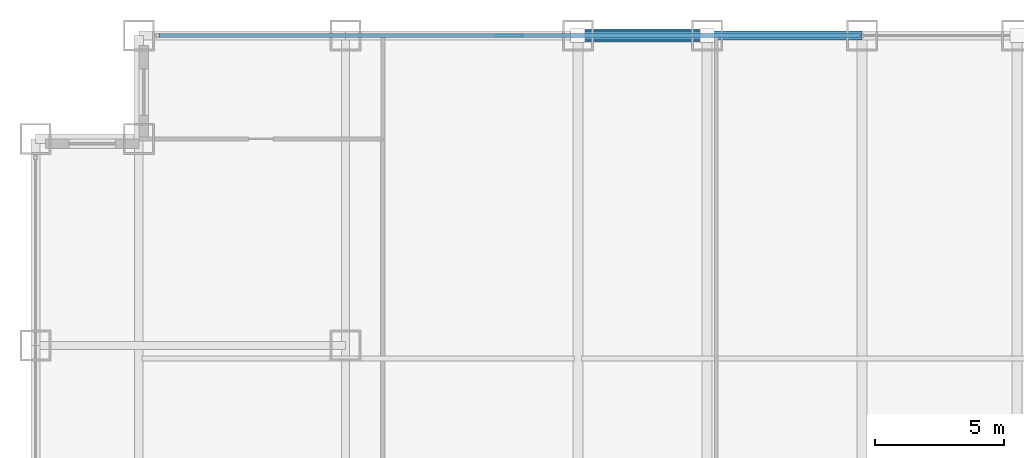
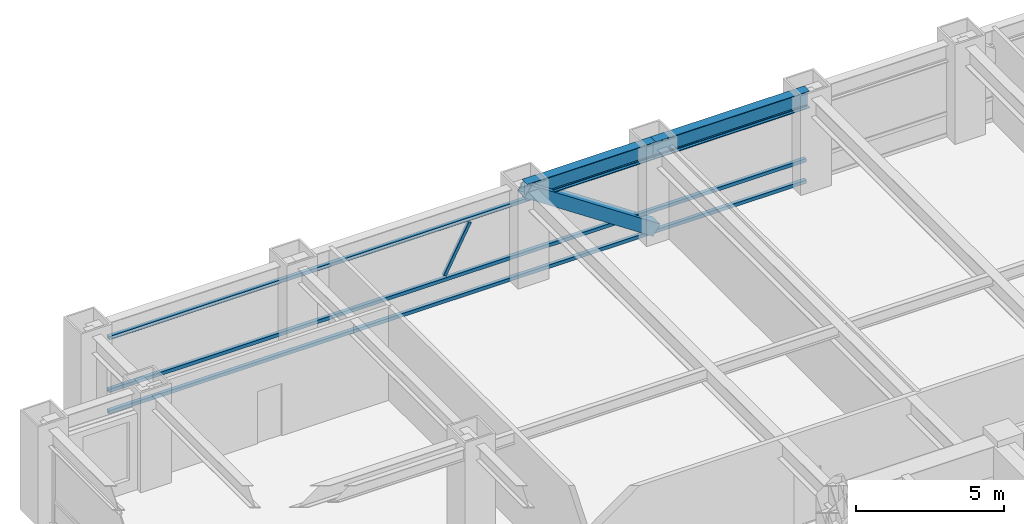
# One storey, part 18 of 28: 5 members, 2 beams, 1 element without a shape of its own.
"""IFC4 building model written with IfcOpenShell, lengths in metres."""

import ifcopenshell
import ifcopenshell.guid

model = None  # the IFC model being written
_history = None  # IfcOwnerHistory: only IFC2X3 demands one
_inside = {}  # id of a spatial element -> (the spatial element, [elements in it])
_under = {}  # id of a project, library or spatial element -> (it, [spatial elements below it])
_declared = {}  # id of a project -> (the project, [libraries it declares])
_typed = {}  # id of a type object -> (the type object, [elements of that type])
_made_of = {}  # id of a material, layer set ... -> (it, [elements and type objects made of it])


def new_model(schema):
    """Start an empty IFC model of exactly this schema.

    Asked for "IFC4X3", IfcOpenShell would pick the latest addendum, in which some entities
    have other attributes; the version numbers below select the first issue.
    IFC2X3 requires an IfcOwnerHistory on every rooted entity: one is made here for all.
    """
    global model, _history
    if schema == "IFC4X3":
        model = ifcopenshell.file(schema_version=(4, 3, 0, 0))
    else:
        model = ifcopenshell.file(schema=schema)
    _inside.clear()
    _under.clear()
    _declared.clear()
    _typed.clear()
    _made_of.clear()
    _history = None
    if model.schema == "IFC2X3":
        org = make("IfcOrganization", Name="unknown")
        user = make(
            "IfcPersonAndOrganization",
            ThePerson=make("IfcPerson", FamilyName="unknown"),
            TheOrganization=org,
        )
        app = make(
            "IfcApplication",
            ApplicationDeveloper=org,
            Version="unknown",
            ApplicationFullName="unknown",
            ApplicationIdentifier="unknown",
        )
        _history = make(
            "IfcOwnerHistory",
            OwningUser=user,
            OwningApplication=app,
            ChangeAction="ADDED",
            CreationDate=0,
        )
    return model


def make(cls, **values):
    """One entity of the class cls with the attributes given. An attribute that is None is left unset."""
    return model.create_entity(
        cls, **{name: value for name, value in values.items() if value is not None}
    )


def rooted(cls, **values):
    """An entity with a GlobalId (a new one), such as an element, a storey or a relation."""
    return make(cls, GlobalId=ifcopenshell.guid.new(), OwnerHistory=_history, **values)


def si_unit(unit_type, name, prefix=None):
    """IfcSIUnit, for example si_unit("LENGTHUNIT", "METRE", prefix="MILLI")."""
    return make("IfcSIUnit", UnitType=unit_type, Prefix=prefix, Name=name)


def assignment(units):
    """IfcUnitAssignment: the units of a project."""
    return None if units is None else make("IfcUnitAssignment", Units=units)


def point(xyz):
    """IfcCartesianPoint."""
    return None if xyz is None else make("IfcCartesianPoint", Coordinates=xyz)


def direction(xyz):
    """IfcDirection."""
    return None if xyz is None else make("IfcDirection", DirectionRatios=xyz)


def frame(location, z_axis=None, x_axis=None):
    """IfcAxis2Placement3D, a coordinate frame: its origin and axes. An axis left out is left unset."""
    return make(
        "IfcAxis2Placement3D",
        Location=point(location),
        Axis=direction(z_axis),
        RefDirection=direction(x_axis),
    )


def frame_2d(location, x_axis=None):
    """IfcAxis2Placement2D, a coordinate frame in the plane: its origin and x axis."""
    return make(
        "IfcAxis2Placement2D", Location=point(location), RefDirection=direction(x_axis)
    )


def origin():
    """The frame at (0, 0, 0) with its axes left unset."""
    return frame((0.0, 0.0, 0.0))


def origin_2d():
    """The frame at (0, 0) in the plane with its x axis left unset."""
    return frame_2d((0.0, 0.0))


def place(relative_to, where):
    """IfcLocalPlacement: puts the frame where relative to a parent placement (None: the world)."""
    return make(
        "IfcLocalPlacement", PlacementRelTo=relative_to, RelativePlacement=where
    )


def context(
    kind, dimensions, precision=None, world=None, true_north=None, identifier=None
):
    """IfcGeometricRepresentationContext, for example the 3D "Model" context."""
    return make(
        "IfcGeometricRepresentationContext",
        ContextIdentifier=identifier,
        ContextType=kind,
        CoordinateSpaceDimension=dimensions,
        Precision=precision,
        WorldCoordinateSystem=world,
        TrueNorth=true_north,
    )


def subcontext(parent, identifier, kind, view, scale=None):
    """IfcGeometricRepresentationSubContext, for example "Body" below "Model"."""
    return make(
        "IfcGeometricRepresentationSubContext",
        ContextIdentifier=identifier,
        ContextType=kind,
        ParentContext=parent,
        TargetScale=scale,
        TargetView=view,
    )


def project(units=None, contexts=None):
    """IfcProject with its units and contexts."""
    return rooted(
        "IfcProject",
        Name="project",
        RepresentationContexts=contexts,
        UnitsInContext=assignment(units),
    )


def spatial(cls, under=None, at=None, **own):
    """A site, building, storey or space (cls), placed at a placement, below another one or the project."""
    s = rooted(cls, ObjectPlacement=at, **own)
    if under is not None:
        _under.setdefault(under.id(), (under, []))[1].append(s)
    return s


def profile(cls, at=None, kind="AREA", **sizes):
    """A parametric profile (cls). Its sizes go by their IFC names, for example OverallWidth=200.0."""
    return make(cls, ProfileType=kind, Position=at, **sizes)


def hollow_rectangle(**sizes):
    """IfcRectangleHollowProfileDef."""
    return profile("IfcRectangleHollowProfileDef", **sizes)


def i_section(**sizes):
    """IfcIShapeProfileDef."""
    return profile("IfcIShapeProfileDef", **sizes)


def extrude(swept, where, along, depth):
    """IfcExtrudedAreaSolid: the profile swept, set in the frame where, extruded along a direction by depth."""
    return make(
        "IfcExtrudedAreaSolid",
        SweptArea=swept,
        Position=where,
        ExtrudedDirection=direction(along),
        Depth=depth,
    )


def shape(context_of_items, identifier, shape_type, items):
    """IfcShapeRepresentation: the items that make up one representation, for example the "Body"."""
    return make(
        "IfcShapeRepresentation",
        ContextOfItems=context_of_items,
        RepresentationIdentifier=identifier,
        RepresentationType=shape_type,
        Items=items,
    )


def source(mapping_origin, context_of_items, identifier, shape_type, items):
    """IfcRepresentationMap: a shape defined once, which mapped items show again and again."""
    return make(
        "IfcRepresentationMap",
        MappingOrigin=mapping_origin,
        MappedRepresentation=shape(context_of_items, identifier, shape_type, items),
    )


def transform(
    local_origin,
    x_axis=None,
    y_axis=None,
    z_axis=None,
    scale=None,
    scale2=None,
    scale3=None,
    uniform=True,
):
    """IfcCartesianTransformationOperator3D, or its non-uniform kind. x_axis, y_axis, z_axis: its Axis1, 2, 3."""
    if uniform:
        return make(
            "IfcCartesianTransformationOperator3D",
            Axis1=direction(x_axis),
            Axis2=direction(y_axis),
            LocalOrigin=point(local_origin),
            Scale=scale,
            Axis3=direction(z_axis),
        )
    return make(
        "IfcCartesianTransformationOperator3DnonUniform",
        Axis1=direction(x_axis),
        Axis2=direction(y_axis),
        LocalOrigin=point(local_origin),
        Scale=scale,
        Axis3=direction(z_axis),
        Scale2=scale2,
        Scale3=scale3,
    )


def mapped(mapping_source, mapping_target):
    """IfcMappedItem: shows the shape of a source again, moved by a transform."""
    return make(
        "IfcMappedItem", MappingSource=mapping_source, MappingTarget=mapping_target
    )


def material(Name=None, Category=None):
    """IfcMaterial."""
    return make("IfcMaterial", Name=Name, Category=Category)


def material_profile(
    of_material, cross_section, Name=None, Category=None, Priority=None
):
    """IfcMaterialProfile: a cross section and its material."""
    return make(
        "IfcMaterialProfile",
        Name=Name,
        Material=of_material,
        Profile=cross_section,
        Priority=Priority,
        Category=Category,
    )


def profile_set(profiles, Name=None, composite=None):
    """IfcMaterialProfileSet."""
    return make(
        "IfcMaterialProfileSet",
        Name=Name,
        MaterialProfiles=profiles,
        CompositeProfile=composite,
    )


def made_of(thing, what):
    """Note that an element or type object is made of a material, layer set ...; save() writes the relation."""
    if what is not None:
        _made_of.setdefault(what.id(), (what, []))[1].append(thing)
    return thing


def type_object(cls, material=None, **own):
    """A type object (cls), such as IfcWallType, which elements share."""
    return made_of(rooted(cls, **own), material)


def element(
    cls,
    number,
    at=None,
    inside=None,
    cuts=None,
    type_object=None,
    material=None,
    context=None,
    identifier="Body",
    shape_type=None,
    held_by="IfcProductDefinitionShape",
    body=None,
    shapes=None,
    **own,
):
    """One element of the class cls, such as IfcWall. Its Tag is "e" and its number.

    at: its placement. inside: the storey or other place that contains it. cuts: it is an
    opening in that element (IfcRelVoidsElement). A single representation is given by context,
    identifier, shape_type and body (its items); several are given by shapes. held_by: the class
    of the entity that holds the representations. save() writes the other relations.
    """
    e = rooted(cls, Tag="e%d" % number, ObjectPlacement=at, **own)
    if body is not None:
        shapes = [shape(context, identifier, shape_type, body)]
    if shapes is not None:
        e.Representation = make(held_by, Representations=shapes)
    if inside is not None:
        _inside.setdefault(inside.id(), (inside, []))[1].append(e)
    if cuts is not None:
        rooted(
            "IfcRelVoidsElement", RelatingBuildingElement=cuts, RelatedOpeningElement=e
        )
    if type_object is not None:
        _typed.setdefault(type_object.id(), (type_object, []))[1].append(e)
    return made_of(e, material)


def aggregate(whole, parts):
    """IfcRelAggregates: a whole, such as a stair, and the parts it consists of."""
    return rooted("IfcRelAggregates", RelatingObject=whole, RelatedObjects=parts)


def save(model, path):
    """Write the relations noted so far, then the file.

    IfcRelAggregates (storeys below a building ...), IfcRelContainedInSpatialStructure (elements
    in a storey), IfcRelDefinesByType, IfcRelAssociatesMaterial and IfcRelDeclares: one each for
    every whole, place, type object, material and project.
    """
    for whole, parts in _under.values():
        aggregate(whole, parts)
    for where, things in _inside.values():
        rooted(
            "IfcRelContainedInSpatialStructure",
            RelatedElements=things,
            RelatingStructure=where,
        )
    for kind, things in _typed.values():
        rooted("IfcRelDefinesByType", RelatedObjects=things, RelatingType=kind)
    for what, things in _made_of.values():
        rooted("IfcRelAssociatesMaterial", RelatedObjects=things, RelatingMaterial=what)
    for by, libraries in _declared.values():
        rooted("IfcRelDeclares", RelatingContext=by, RelatedDefinitions=libraries)
    model.write(path)


model = new_model("IFC4")

# Units and contexts
model_context = context("Model", 3, precision=1e-05, world=origin(), true_north=direction((0.0, 1.0)))
body_context = subcontext(model_context, "Body", "Model", "MODEL_VIEW")
ifc_project = project(units=[si_unit("LENGTHUNIT", "METRE"), si_unit("AREAUNIT", "SQUARE_METRE"), si_unit("VOLUMEUNIT", "CUBIC_METRE"), si_unit("PLANEANGLEUNIT", "RADIAN"), si_unit("MASSUNIT", "GRAM", prefix="KILO")], contexts=[model_context])

# Site, building, storey
site_placement = place(None, origin())
site = spatial("IfcSite", under=ifc_project, at=site_placement, CompositionType="ELEMENT")
building_placement = place(site_placement, origin())
building = spatial("IfcBuilding", under=site, at=building_placement, Name="Khorayat Bourse Tower", CompositionType="ELEMENT")
storey_placement = place(building_placement, frame((0.0, 0.0, 116.0)))
storey = spatial("IfcBuildingStorey", under=building, at=storey_placement, Name="L26", CompositionType="ELEMENT", Elevation=116.0)

# Beams
ifc_material_1 = material(Name="Steel ASTM A992 Grade 50", Category="steel")
ifc_material_profile_1 = material_profile(ifc_material_1, i_section(OverallWidth=0.35498046875, OverallDepth=0.695068359375, WebThickness=0.015380859375, FlangeThickness=0.02490234375, FilletRadius=0.01806640625, at=origin_2d()), Name="W690X217")
ifc_profile_set_1 = profile_set([ifc_material_profile_1], Name="Steel ASTM A992 Grade 50")
beam_type = type_object("IfcBeamType", Name="BM-SPAN-690", PredefinedType="SPANDREL", material=ifc_profile_set_1)
shared_shape_1 = source(origin(), body_context, "Body", "SweptSolid", [
    extrude(i_section(OverallWidth=0.35498046875, OverallDepth=0.695068359375, WebThickness=0.015380859375, FlangeThickness=0.02490234375, FilletRadius=0.01806640625, at=origin_2d()), origin(), (0.0, 0.0, 1.0), 5.0),
])
beam_1_placement = place(storey_placement, frame((-11.0, 32.0, 3.492431640625), z_axis=(1.0, 0.0, 0.0), x_axis=(0.0, 1.0, 0.0)))
element("IfcBeam", 1, at=beam_1_placement, inside=storey, type_object=beam_type, Name="L26 BM-SPAN-690 BM-L26-SPN-049", PredefinedType="SPANDREL", context=body_context, shape_type="MappedRepresentation", body=[
    mapped(shared_shape_1, transform((0.0, 0.0, 0.0), scale=1.0)),
])
shared_shape_2 = source(origin(), body_context, "Body", "SweptSolid", [
    extrude(i_section(OverallWidth=0.35498046875, OverallDepth=0.695068359375, WebThickness=0.015380859375, FlangeThickness=0.02490234375, FilletRadius=0.01806640625, at=origin_2d()), origin(), (0.0, 0.0, 1.0), 6.0),
])
beam_2_placement = place(storey_placement, frame((-6.0, 32.0, 3.492431640625), z_axis=(1.0, 0.0, 0.0), x_axis=(0.0, 1.0, 0.0)))
element("IfcBeam", 2, at=beam_2_placement, inside=storey, type_object=beam_type, Name="L26 BM-SPAN-690 BM-L26-SPN-048", PredefinedType="SPANDREL", context=body_context, shape_type="MappedRepresentation", body=[
    mapped(shared_shape_2, transform((0.0, 0.0, 0.0), scale=1.0)),
])

# Member
ifc_material_2 = material(Name="Steel EN 10025-4 S460M", Category="steel")
ifc_material_profile_2 = material_profile(ifc_material_2, hollow_rectangle(XDim=0.5, YDim=0.5, WallThickness=0.028076171875, at=origin_2d()), Name="HSS 500x500x28")
ifc_profile_set_2 = profile_set([ifc_material_profile_2], Name="Steel EN 10025-4 S460M")
member_type_1 = type_object("IfcMemberType", Name="MBR-TUBE-500", PredefinedType="BRACE", material=ifc_profile_set_2)
shared_shape_3 = source(origin(), body_context, "Body", "SweptSolid", [
    extrude(hollow_rectangle(XDim=0.5, YDim=0.5, WallThickness=0.028076171875, at=origin_2d()), origin(), (0.0, 0.0, 1.0), 6.012939453125),
])
member_1_placement = place(storey_placement, frame((-11.0, 32.0, 3.590087890625), z_axis=(0.831531473026, 0.0, -0.555477640745), x_axis=(0.0, 1.0, 0.0)))
element("IfcMember", 3, at=member_1_placement, inside=storey, type_object=member_type_1, Name="L26 Perimeter Tube Brace 03", PredefinedType="BRACE", context=body_context, shape_type="MappedRepresentation", body=[
    mapped(shared_shape_3, transform((0.0, 0.0, 0.0), scale=1.0)),
])

# Curtain wall, members
ifc_material_3 = material(Name="Aluminium EN AW-6063 T6", Category="aluminium")
curtain_wall_type = type_object("IfcCurtainWallType", Name="CW-SYS-02", PredefinedType="NOTDEFINED", material=ifc_material_3)
curtain_wall_placement = place(storey_placement, origin())
curtain_wall = element("IfcCurtainWall", 4, at=curtain_wall_placement, inside=storey, type_object=curtain_wall_type, Name="L26 Curtain Wall CW-L26-N1", PredefinedType="NOTDEFINED")
ifc_material_profile_3 = material_profile(ifc_material_3, hollow_rectangle(XDim=0.139892578125, YDim=0.139892578125, WallThickness=0.006103515625, at=origin_2d()), Name="ALU 140x140x6")
ifc_profile_set_3 = profile_set([ifc_material_profile_3], Name="Aluminium EN AW-6063 T6")
member_type_2 = type_object("IfcMemberType", Name="CWT-HORZ-140", PredefinedType="USERDEFINED", material=ifc_profile_set_3)
shared_shape_4 = source(origin(), body_context, "Body", "SweptSolid", [
    extrude(hollow_rectangle(XDim=0.139892578125, YDim=0.139892578125, WallThickness=0.006103515625, at=origin_2d()), origin(), (0.0, 0.0, 1.0), 27.139892578125),
])
member_2_placement = place(storey_placement, frame((-27.2099609375, 32.0, 0.070068359375), z_axis=(1.0, 0.0, 0.0), x_axis=(0.0, 1.0, 0.0)))
member_2 = element("IfcMember", 5, at=member_2_placement, type_object=member_type_2, Name="CW-L26-N1 Horizontal Transom 1-1", ObjectType="TRANSOM", PredefinedType="USERDEFINED", context=body_context, shape_type="MappedRepresentation", body=[
    mapped(shared_shape_4, transform((0.0, 0.0, 0.0), scale=1.0)),
])
member_3_placement = place(storey_placement, frame((-27.2099609375, 32.0, 0.949951171875), z_axis=(1.0, 0.0, 0.0), x_axis=(0.0, 1.0, 0.0)))
member_3 = element("IfcMember", 6, at=member_3_placement, type_object=member_type_2, Name="CW-L26-N1 Horizontal Transom 1-2", ObjectType="TRANSOM", PredefinedType="USERDEFINED", context=body_context, shape_type="MappedRepresentation", body=[
    mapped(shared_shape_4, transform((0.0, 0.0, 0.0), scale=1.0)),
])
member_4_placement = place(storey_placement, frame((-27.2099609375, 32.0, 3.1201171875), z_axis=(1.0, 0.0, 0.0), x_axis=(0.0, 1.0, 0.0)))
member_4 = element("IfcMember", 7, at=member_4_placement, type_object=member_type_2, Name="CW-L26-N1 Horizontal Transom 1-3", ObjectType="TRANSOM", PredefinedType="USERDEFINED", context=body_context, shape_type="MappedRepresentation", body=[
    mapped(shared_shape_4, transform((0.0, 0.0, 0.0), scale=1.0)),
])
ifc_material_profile_4 = material_profile(ifc_material_3, hollow_rectangle(XDim=0.1201171875, YDim=0.1201171875, WallThickness=0.0048828125, at=origin_2d()), Name="ALU 120x120x5")
ifc_profile_set_4 = profile_set([ifc_material_profile_4], Name="Aluminium EN AW-6063 T6")
member_type_3 = type_object("IfcMemberType", Name="CWM-DIAG-120", PredefinedType="MULLION", material=ifc_profile_set_4)
shared_shape_5 = source(origin(), body_context, "Body", "SweptSolid", [
    extrude(hollow_rectangle(XDim=0.1201171875, YDim=0.1201171875, WallThickness=0.0048828125, at=origin_2d()), origin(), (0.0, 0.0, 1.0), 2.113037109375),
])
member_5_placement = place(storey_placement, frame((-14.132080078125, 32.0, 1.10009765625), z_axis=(0.465741670874, 0.0, 0.884920728659), x_axis=(0.0, 1.0, 0.0)))
member_5 = element("IfcMember", 8, at=member_5_placement, type_object=member_type_3, Name="CW-L26-N1 Faceted Diagonal Mullion 1", PredefinedType="MULLION", context=body_context, shape_type="MappedRepresentation", body=[
    mapped(shared_shape_5, transform((0.0, 0.0, 0.0), scale=1.0)),
])
aggregate(curtain_wall, [member_2, member_3, member_4, member_5])

save(model, "model.ifc")
